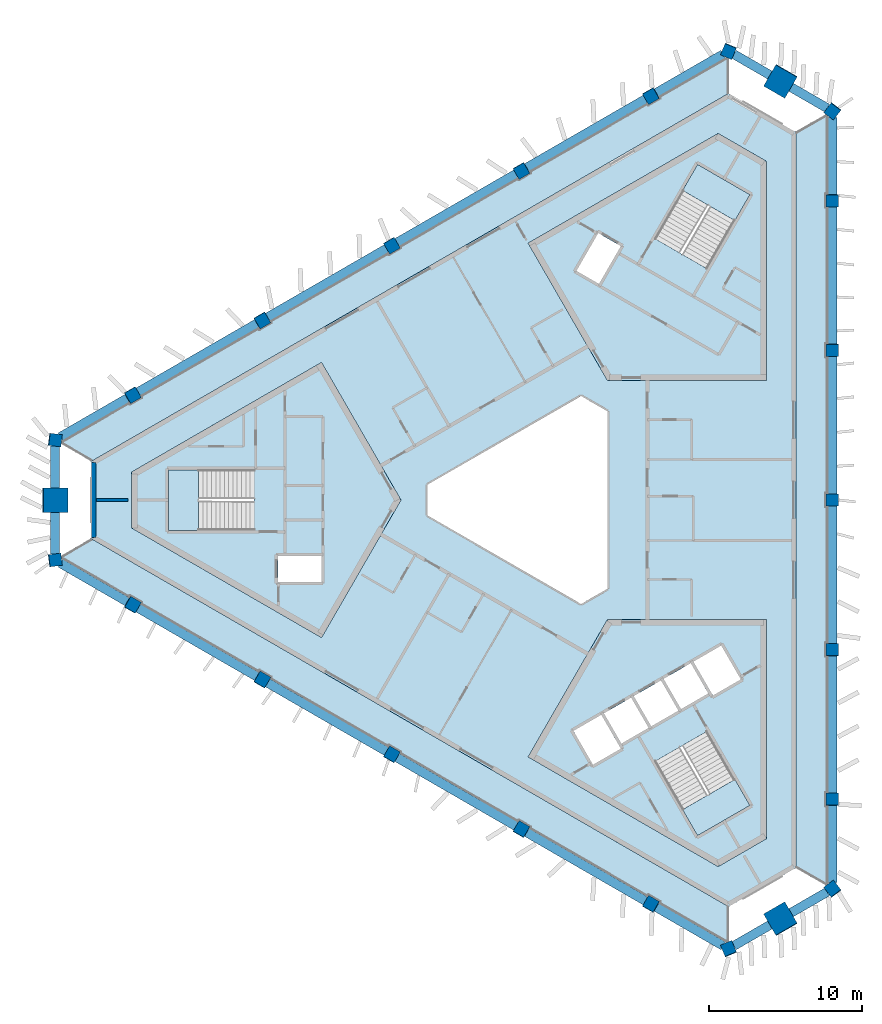
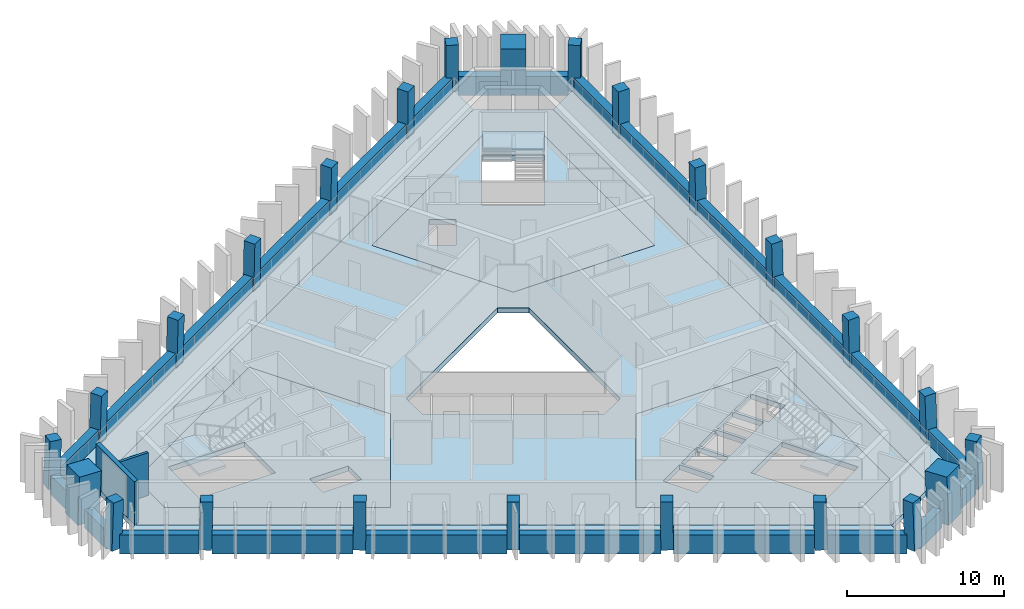
# One storey, part 1 of 9: 24 beams, 24 columns, 10 slabs, 2 walls, 3 elements without a shape of their own.
"""IFC4 building model written with IfcOpenShell, lengths in metres."""

from ifc_helpers import new_model, si_unit, direction, frame, frame_2d, origin, origin_2d, place, context, subcontext, project, spatial, polyline, rectangle, outline, extrude, material, layer, layer_set, material_profile, profile_set, type_object, element, aggregate, save


model = new_model("IFC4")

# Units and contexts
model_context = context("Model", 3, precision=1e-05, world=origin(), true_north=direction((0.0, 1.0)))
body_context = subcontext(model_context, "Body", "Model", "MODEL_VIEW")
ifc_project = project(units=[si_unit("LENGTHUNIT", "METRE"), si_unit("AREAUNIT", "SQUARE_METRE"), si_unit("VOLUMEUNIT", "CUBIC_METRE"), si_unit("PLANEANGLEUNIT", "RADIAN"), si_unit("MASSUNIT", "GRAM", prefix="KILO")], contexts=[model_context])

# Site, building, storey
site_placement = place(None, origin())
site = spatial("IfcSite", under=ifc_project, at=site_placement, CompositionType="ELEMENT")
building_placement = place(site_placement, origin())
building = spatial("IfcBuilding", under=site, at=building_placement, Name="Jabali Bay Hotel Tower and Convention Centre", CompositionType="ELEMENT")
storey_placement = place(building_placement, frame((0.0, 0.0, 270.10009765625)))
storey = spatial("IfcBuildingStorey", under=building, at=storey_placement, Name="L66", CompositionType="ELEMENT", Elevation=270.10009765625)

# Columns
ifc_material_1 = material(Name="Concrete C60", Category="concrete")
ifc_material_profile_1 = material_profile(ifc_material_1, rectangle(XDim=0.800048828125, YDim=0.800048828125, at=origin_2d()), Name="Frame column 800")
ifc_profile_set_1 = profile_set([ifc_material_profile_1], Name="Concrete C60")
column_type_1 = type_object("IfcColumnType", Name="Frame column 800", PredefinedType="COLUMN", material=ifc_profile_set_1)
column_1_placement = place(storey_placement, frame((82.337158203125, 106.409423828125, 0.0), z_axis=(-0.008376454378, -0.028163354484, 0.999568237028), x_axis=(0.86585218107, 0.499844611273, 0.021339285781)))
element("IfcColumn", 1, at=column_1_placement, inside=storey, type_object=column_type_1, Name="FC6 F1.1 L66", PredefinedType="COLUMN", context=body_context, shape_type="SweptSolid", body=[
    extrude(rectangle(XDim=0.800048828125, YDim=0.800048828125, at=origin_2d()), origin(), (0.0, 0.0, 1.0), 3.70166015625),
])
column_2_placement = place(storey_placement, frame((73.867919921875, 101.519775390625, 0.0), z_axis=(0.000857578916, -0.022824792675, 0.999739112668), x_axis=(0.866060219769, 0.499825848733, 0.01066848966)))
element("IfcColumn", 2, at=column_2_placement, inside=storey, type_object=column_type_1, Name="FC6 F1.2 L66", PredefinedType="COLUMN", context=body_context, shape_type="SweptSolid", body=[
    extrude(rectangle(XDim=0.800048828125, YDim=0.800048828125, at=origin_2d()), origin(), (0.0, 0.0, 1.0), 3.700927734375),
])
column_3_placement = place(storey_placement, frame((65.398681640625, 96.6298828125, 0.0), z_axis=(0.010093620709, -0.017482414954, 0.999796221231), x_axis=(-0.499902890187, 0.86584616669, 0.020187025825)))
element("IfcColumn", 3, at=column_3_placement, inside=storey, type_object=column_type_1, Name="FC6 F1.3 L66", PredefinedType="COLUMN", context=body_context, shape_type="SweptSolid", body=[
    extrude(rectangle(XDim=0.800048828125, YDim=0.800048828125, at=origin_2d()), origin(), (0.0, 0.0, 1.0), 3.70068359375),
])
column_4_placement = place(storey_placement, frame((56.929443359375, 91.740234375, 0.0), z_axis=(0.019328516974, -0.012138044789, 0.999739504221), x_axis=(-0.500205614953, 0.865671455024, 0.020181048691)))
element("IfcColumn", 4, at=column_4_placement, inside=storey, type_object=column_type_1, Name="FC6 F1.4 L66", PredefinedType="COLUMN", context=body_context, shape_type="SweptSolid", body=[
    extrude(rectangle(XDim=0.800048828125, YDim=0.800048828125, at=origin_2d()), origin(), (0.0, 0.0, 1.0), 3.700927734375),
])
for number, where, z_axis, x_axis, name in (
    (5, (48.460205078125, 86.8505859375, 0.0), (0.028559101991, -0.006859460986, 0.999568569678), (-0.498513358127, 0.866646856607, 0.020190534949), "FC6 F1.5 L66"),
    (6, (48.460205078125, 73.1494140625, 0.0), (0.028559101991, 0.006859460986, 0.999568569678), (-0.866411455062, 0.498874907895, 0.021331123037), "FC6 F2.1 L66"),
):
    element("IfcColumn", number, at=place(storey_placement, frame(where, z_axis=z_axis, x_axis=x_axis)), inside=storey, type_object=column_type_1, Name=name, PredefinedType="COLUMN", context=body_context, shape_type="SweptSolid", body=[
        extrude(rectangle(XDim=0.800048828125, YDim=0.800048828125, at=origin_2d()), origin(), (0.0, 0.0, 1.0), 3.70166015625),
    ])
column_5_placement = place(storey_placement, frame((56.929443359375, 68.259765625, 0.0), z_axis=(0.019328516974, 0.012138044789, 0.999739504221), x_axis=(-0.865690909737, 0.500465383244, 0.010660627254)))
element("IfcColumn", 7, at=column_5_placement, inside=storey, type_object=column_type_1, Name="FC6 F2.2 L66", PredefinedType="COLUMN", context=body_context, shape_type="SweptSolid", body=[
    extrude(rectangle(XDim=0.800048828125, YDim=0.800048828125, at=origin_2d()), origin(), (0.0, 0.0, 1.0), 3.700927734375),
])
column_6_placement = place(storey_placement, frame((65.398681640625, 63.3701171875, 0.0), z_axis=(0.010093620709, 0.017482414954, 0.999796221231), x_axis=(-0.866022643586, 0.500004780773, 1.3036e-08)))
element("IfcColumn", 8, at=column_6_placement, inside=storey, type_object=column_type_1, Name="FC6 F2.3 L66", PredefinedType="COLUMN", context=body_context, shape_type="SweptSolid", body=[
    extrude(rectangle(XDim=0.800048828125, YDim=0.800048828125, at=origin_2d()), origin(), (0.0, 0.0, 1.0), 3.70068359375),
])
column_7_placement = place(storey_placement, frame((73.867919921875, 58.480224609375, 0.0), z_axis=(0.000857578916, 0.022824792675, 0.999739112668), x_axis=(-0.499938956565, -0.865825126557, 0.020196285069)))
element("IfcColumn", 9, at=column_7_placement, inside=storey, type_object=column_type_1, Name="FC6 F2.4 L66", PredefinedType="COLUMN", context=body_context, shape_type="SweptSolid", body=[
    extrude(rectangle(XDim=0.800048828125, YDim=0.800048828125, at=origin_2d()), origin(), (0.0, 0.0, 1.0), 3.700927734375),
])
for number, where, z_axis, x_axis, name in (
    (10, (82.337158203125, 53.590576171875, 0.0), (-0.008376454378, 0.028163354484, 0.999568237028), (-0.500229782748, -0.865657085713, 0.020198376324), "FC6 F2.5 L66"),
    (11, (94.20263671875, 60.441162109375, 0.0), (-0.020182659751, 0.021303918626, 0.999569308901), (0.000228267203, -0.99977282903, 0.021312865295), "FC6 F0.1 L66"),
):
    element("IfcColumn", number, at=place(storey_placement, frame(where, z_axis=z_axis, x_axis=x_axis)), inside=storey, type_object=column_type_1, Name=name, PredefinedType="COLUMN", context=body_context, shape_type="SweptSolid", body=[
        extrude(rectangle(XDim=0.800048828125, YDim=0.800048828125, at=origin_2d()), origin(), (0.0, 0.0, 1.0), 3.70166015625),
    ])
column_8_placement = place(storey_placement, frame((94.20263671875, 70.220458984375, 0.0), z_axis=(-0.020186088539, 0.010686752756, 0.999739123544), x_axis=(-0.001012906877, -0.999942577175, 0.010668475618)))
element("IfcColumn", 12, at=column_8_placement, inside=storey, type_object=column_type_1, Name="FC6 F0.2 L66", PredefinedType="COLUMN", context=body_context, shape_type="SweptSolid", body=[
    extrude(rectangle(XDim=0.800048828125, YDim=0.800048828125, at=origin_2d()), origin(), (0.0, 0.0, 1.0), 3.700927734375),
])
column_9_placement = place(storey_placement, frame((94.20263671875, 80.0, 0.0), z_axis=(-0.020187241331, 0.0, 0.99979621688), x_axis=(0.0, -1.0, 0.0)))
element("IfcColumn", 13, at=column_9_placement, inside=storey, type_object=column_type_1, Name="FC6 F0.3 L66", PredefinedType="COLUMN", context=body_context, shape_type="SweptSolid", body=[
    extrude(rectangle(XDim=0.800048828125, YDim=0.800048828125, at=origin_2d()), origin(), (0.0, 0.0, 1.0), 3.70068359375),
])
column_10_placement = place(storey_placement, frame((94.20263671875, 89.779541015625, 0.0), z_axis=(-0.020186088539, -0.010686752756, 0.999739123544), x_axis=(0.999795727061, 0.00079728784, 0.020195754082)))
element("IfcColumn", 14, at=column_10_placement, inside=storey, type_object=column_type_1, Name="FC6 F0.4 L66", PredefinedType="COLUMN", context=body_context, shape_type="SweptSolid", body=[
    extrude(rectangle(XDim=0.800048828125, YDim=0.800048828125, at=origin_2d()), origin(), (0.0, 0.0, 1.0), 3.700927734375),
])
column_11_placement = place(storey_placement, frame((94.20263671875, 99.558837890625, 0.0), z_axis=(-0.020182659751, -0.021303918626, 0.999569308901), x_axis=(0.999796283319, -0.000658319199, 0.020173211851)))
element("IfcColumn", 15, at=column_11_placement, inside=storey, type_object=column_type_1, Name="FC6 F0.5 L66", PredefinedType="COLUMN", context=body_context, shape_type="SweptSolid", body=[
    extrude(rectangle(XDim=0.800048828125, YDim=0.800048828125, at=origin_2d()), origin(), (0.0, 0.0, 1.0), 3.70166015625),
])
for number, where, z_axis, x_axis, name in (
    (16, (94.20263671875, 54.583251953125, 0.0), (-0.02017878048, 0.028949296179, 0.999377183584), (-0.797351291401, -0.603513882654, 0.00138258656), "FC6 V0 L66"),
    (17, (94.20263671875, 105.416748046875, 0.0), (-0.02017878048, -0.028949296179, 0.999377183584), (0.603178029209, 0.796826789017, 0.035260932848), "FC6 V1 L66"),
    (18, (87.410400390625, 109.33837890625, 0.0), (-0.015035141917, -0.031982648376, 0.99937533225), (0.920949876044, -0.389678596935, 0.001384523406), "FC6 V2 L66"),
    (19, (43.386962890625, 83.921630859375, 0.0), (0.03521388716, -0.002967462401, 0.999375393092), (-0.991790756709, 0.122899098817, 0.035311562094), "FC6 V3 L66"),
    (20, (43.386962890625, 76.078369140625, 0.0), (0.03521388716, 0.002967462401, 0.999375393092), (-0.122927120924, 0.992414734714, 0.001384653217), "FC6 V4 L66"),
    (21, (87.410400390625, 50.66162109375, 0.0), (-0.015035141917, 0.031982648376, 0.99937533225), (0.389390896557, -0.920395404863, 0.035313289065), "FC6 V5 L66"),
):
    element("IfcColumn", number, at=place(storey_placement, frame(where, z_axis=z_axis, x_axis=x_axis)), inside=storey, type_object=column_type_1, Name=name, PredefinedType="COLUMN", context=body_context, shape_type="SweptSolid", body=[
        extrude(rectangle(XDim=0.800048828125, YDim=0.800048828125, at=origin_2d()), origin(), (0.0, 0.0, 1.0), 3.7021484375),
    ])
ifc_material_2 = material(Name="Concrete C70", Category="concrete")
ifc_material_profile_2 = material_profile(ifc_material_2, rectangle(XDim=1.60009765625, YDim=1.60009765625, at=origin_2d()), Name="Mega column 1600")
ifc_profile_set_2 = profile_set([ifc_material_profile_2], Name="Concrete C70")
column_type_2 = type_object("IfcColumnType", Name="Mega column 1600", PredefinedType="COLUMN", material=ifc_profile_set_2)
for number, where, z_axis, x_axis, name in (
    (22, (90.806396484375, 107.377685546875, 0.0), (-0.017607001884, -0.030531992032, 0.999378702468), (0.499259105725, 0.865735604153, 0.035244986206), "MC6 M1 L66"),
    (23, (43.386962890625, 80.0, 0.0), (0.035214042205, 0.0, 0.999379793288), (0.0, 1.0, 0.0), "MC6 M0 L66"),
    (24, (90.806396484375, 52.622314453125, 0.0), (-0.017607001884, 0.030531992032, 0.999378702468), (-0.866273824397, -0.499569475814, 3.66624e-07), "MC6 M2 L66"),
):
    element("IfcColumn", number, at=place(storey_placement, frame(where, z_axis=z_axis, x_axis=x_axis)), inside=storey, type_object=column_type_2, Name=name, PredefinedType="COLUMN", context=body_context, shape_type="SweptSolid", body=[
        extrude(rectangle(XDim=1.60009765625, YDim=1.60009765625, at=origin_2d()), origin(), (0.0, 0.0, 1.0), 3.7021484375),
    ])

# Beams
ifc_material_profile_3 = material_profile(ifc_material_1, rectangle(XDim=0.60009765625, YDim=1.449951171875, at=origin_2d()), Name="Spandrel 600x1450")
ifc_profile_set_3 = profile_set([ifc_material_profile_3], Name="Concrete C60")
beam_type = type_object("IfcBeamType", Name="Spandrel 600x1450", PredefinedType="SPANDREL", material=ifc_profile_set_3)
beam_1_placement = place(storey_placement, frame((90.10693359375, 107.76611328125, 0.375), z_axis=(-0.866003257038, 0.500038357328, 0.0), x_axis=(-0.500038357328, -0.866003257038, 0.0)))
element("IfcBeam", 25, at=beam_1_placement, inside=storey, type_object=beam_type, Name="Spandrel M1-V2 L66", PredefinedType="SPANDREL", context=body_context, shape_type="SweptSolid", body=[
    extrude(rectangle(XDim=0.60009765625, YDim=1.449951171875, at=origin_2d()), origin(), (0.0, 0.0, 1.0), 2.720458984375),
])
beam_2_placement = place(storey_placement, frame((87.058349609375, 109.12646484375, 0.375), z_axis=(-0.866026345406, -0.49999836906, 0.0), x_axis=(0.49999836906, -0.866026345406, 0.0)))
element("IfcBeam", 26, at=beam_2_placement, inside=storey, type_object=beam_type, Name="Spandrel V2-F1.1 L66", PredefinedType="SPANDREL", context=body_context, shape_type="SweptSolid", body=[
    extrude(rectangle(XDim=0.60009765625, YDim=1.449951171875, at=origin_2d()), origin(), (0.0, 0.0, 1.0), 5.05517578125),
])
for number, where, z_axis, x_axis, name in (
    (27, (81.987548828125, 106.198974609375, 0.375), (-0.866021609613, -0.500006571641, 0.0), (0.500006571641, -0.866021609613, 0.0), "Spandrel F1.1-F1.2 L66"),
    (28, (73.52197265625, 101.31103515625, 0.375), (-0.866040187658, -0.499974392705, 0.0), (0.499974392705, -0.866040187658, 0.0), "Spandrel F1.2-F1.3 L66"),
    (29, (65.05615234375, 96.42333984375, 0.375), (-0.866040187658, -0.499974392705, 0.0), (0.499974392705, -0.866040187658, 0.0), "Spandrel F1.3-F1.4 L66"),
    (30, (56.59033203125, 91.53564453125, 0.375), (-0.866021609613, -0.500006571641, 0.0), (0.500006571641, -0.866021609613, 0.0), "Spandrel F1.4-F1.5 L66"),
):
    element("IfcBeam", number, at=place(storey_placement, frame(where, z_axis=z_axis, x_axis=x_axis)), inside=storey, type_object=beam_type, Name=name, PredefinedType="SPANDREL", context=body_context, shape_type="SweptSolid", body=[
        extrude(rectangle(XDim=0.60009765625, YDim=1.449951171875, at=origin_2d()), origin(), (0.0, 0.0, 1.0), 8.9755859375),
    ])
beam_3_placement = place(storey_placement, frame((48.12451171875, 86.64794921875, 0.375), z_axis=(-0.866026345406, -0.49999836906, 0.0), x_axis=(0.49999836906, -0.866026345406, 0.0)))
element("IfcBeam", 31, at=beam_3_placement, inside=storey, type_object=beam_type, Name="Spandrel F1.5-V3 L66", PredefinedType="SPANDREL", context=body_context, shape_type="SweptSolid", body=[
    extrude(rectangle(XDim=0.60009765625, YDim=1.449951171875, at=origin_2d()), origin(), (0.0, 0.0, 1.0), 5.05517578125),
])
for number, where, z_axis, x_axis, name in (
    (32, (43.400390625, 83.5205078125, 0.375), (0.0, -1.0, 0.0), (1.0, 0.0, 0.0), "Spandrel V3-M0 L66"),
    (33, (43.400390625, 79.199951171875, 0.375), (0.0, -1.0, 0.0), (1.0, 0.0, 0.0), "Spandrel M0-V4 L66"),
):
    element("IfcBeam", number, at=place(storey_placement, frame(where, z_axis=z_axis, x_axis=x_axis)), inside=storey, type_object=beam_type, Name=name, PredefinedType="SPANDREL", context=body_context, shape_type="SweptSolid", body=[
        extrude(rectangle(XDim=0.60009765625, YDim=1.449951171875, at=origin_2d()), origin(), (0.0, 0.0, 1.0), 2.720458984375),
    ])
beam_4_placement = place(storey_placement, frame((43.74658203125, 75.879638671875, 0.375), z_axis=(0.866026345406, -0.49999836906, 0.0), x_axis=(0.49999836906, 0.866026345406, 0.0)))
element("IfcBeam", 34, at=beam_4_placement, inside=storey, type_object=beam_type, Name="Spandrel V4-F2.1 L66", PredefinedType="SPANDREL", context=body_context, shape_type="SweptSolid", body=[
    extrude(rectangle(XDim=0.60009765625, YDim=1.449951171875, at=origin_2d()), origin(), (0.0, 0.0, 1.0), 5.05517578125),
])
for number, where, z_axis, x_axis, name in (
    (35, (48.8173828125, 72.9521484375, 0.375), (0.866021609613, -0.500006571641, 0.0), (0.500006571641, 0.866021609613, 0.0), "Spandrel F2.1-F2.2 L66"),
    (36, (57.282958984375, 68.064208984375, 0.375), (0.866040187658, -0.499974392705, 0.0), (0.499974392705, 0.866040187658, 0.0), "Spandrel F2.2-F2.3 L66"),
    (37, (65.748779296875, 63.176513671875, 0.375), (0.866040187658, -0.499974392705, 0.0), (0.499974392705, 0.866040187658, 0.0), "Spandrel F2.3-F2.4 L66"),
    (38, (74.214599609375, 58.288818359375, 0.375), (0.866021609613, -0.500006571641, 0.0), (0.500006571641, 0.866021609613, 0.0), "Spandrel F2.4-F2.5 L66"),
):
    element("IfcBeam", number, at=place(storey_placement, frame(where, z_axis=z_axis, x_axis=x_axis)), inside=storey, type_object=beam_type, Name=name, PredefinedType="SPANDREL", context=body_context, shape_type="SweptSolid", body=[
        extrude(rectangle(XDim=0.60009765625, YDim=1.449951171875, at=origin_2d()), origin(), (0.0, 0.0, 1.0), 8.9755859375),
    ])
beam_5_placement = place(storey_placement, frame((82.680419921875, 53.401123046875, 0.375), z_axis=(0.866026345406, -0.49999836906, 0.0), x_axis=(0.49999836906, 0.866026345406, 0.0)))
element("IfcBeam", 39, at=beam_5_placement, inside=storey, type_object=beam_type, Name="Spandrel F2.5-V5 L66", PredefinedType="SPANDREL", context=body_context, shape_type="SweptSolid", body=[
    extrude(rectangle(XDim=0.60009765625, YDim=1.449951171875, at=origin_2d()), origin(), (0.0, 0.0, 1.0), 5.05517578125),
])
for number, where, z_axis, x_axis, name in (
    (40, (87.7509765625, 50.87353515625, 0.375), (0.866003257038, 0.500038357328, 0.0), (-0.500038357328, 0.866003257038, 0.0), "Spandrel V5-M2 L66"),
    (41, (91.49267578125, 53.033935546875, 0.375), (0.866042117264, 0.499971050288, 0.0), (-0.499971050288, 0.866042117264, 0.0), "Spandrel M2-V0 L66"),
):
    element("IfcBeam", number, at=place(storey_placement, frame(where, z_axis=z_axis, x_axis=x_axis)), inside=storey, type_object=beam_type, Name=name, PredefinedType="SPANDREL", context=body_context, shape_type="SweptSolid", body=[
        extrude(rectangle(XDim=0.60009765625, YDim=1.449951171875, at=origin_2d()), origin(), (0.0, 0.0, 1.0), 2.720458984375),
    ])
beam_6_placement = place(storey_placement, frame((94.195068359375, 54.994140625, 0.375), z_axis=(0.0, 1.0, 0.0), x_axis=(-1.0, 0.0, 0.0)))
element("IfcBeam", 42, at=beam_6_placement, inside=storey, type_object=beam_type, Name="Spandrel V0-F0.1 L66", PredefinedType="SPANDREL", context=body_context, shape_type="SweptSolid", body=[
    extrude(rectangle(XDim=0.60009765625, YDim=1.449951171875, at=origin_2d()), origin(), (0.0, 0.0, 1.0), 5.054931640625),
])
beam_7_placement = place(storey_placement, frame((94.195068359375, 60.84912109375, 0.375), z_axis=(0.0, 1.0, 0.0), x_axis=(-1.0, 0.0, 0.0)))
element("IfcBeam", 43, at=beam_7_placement, inside=storey, type_object=beam_type, Name="Spandrel F0.1-F0.2 L66", PredefinedType="SPANDREL", context=body_context, shape_type="SweptSolid", body=[
    extrude(rectangle(XDim=0.60009765625, YDim=1.449951171875, at=origin_2d()), origin(), (0.0, 0.0, 1.0), 8.975341796875),
])
for number, where, z_axis, x_axis, name in (
    (44, (94.195068359375, 70.62451171875, 0.375), (0.0, 1.0, 0.0), (-1.0, 0.0, 0.0), "Spandrel F0.2-F0.3 L66"),
    (45, (94.195068359375, 80.39990234375, 0.375), (0.0, 1.0, 0.0), (-1.0, 0.0, 0.0), "Spandrel F0.3-F0.4 L66"),
):
    element("IfcBeam", number, at=place(storey_placement, frame(where, z_axis=z_axis, x_axis=x_axis)), inside=storey, type_object=beam_type, Name=name, PredefinedType="SPANDREL", context=body_context, shape_type="SweptSolid", body=[
        extrude(rectangle(XDim=0.60009765625, YDim=1.449951171875, at=origin_2d()), origin(), (0.0, 0.0, 1.0), 8.9755859375),
    ])
beam_8_placement = place(storey_placement, frame((94.195068359375, 90.175537109375, 0.375), z_axis=(0.0, 1.0, 0.0), x_axis=(-1.0, 0.0, 0.0)))
element("IfcBeam", 46, at=beam_8_placement, inside=storey, type_object=beam_type, Name="Spandrel F0.4-F0.5 L66", PredefinedType="SPANDREL", context=body_context, shape_type="SweptSolid", body=[
    extrude(rectangle(XDim=0.60009765625, YDim=1.449951171875, at=origin_2d()), origin(), (0.0, 0.0, 1.0), 8.975341796875),
])
beam_9_placement = place(storey_placement, frame((94.195068359375, 99.950927734375, 0.375), z_axis=(0.0, 1.0, 0.0), x_axis=(-1.0, 0.0, 0.0)))
element("IfcBeam", 47, at=beam_9_placement, inside=storey, type_object=beam_type, Name="Spandrel F0.5-V1 L66", PredefinedType="SPANDREL", context=body_context, shape_type="SweptSolid", body=[
    extrude(rectangle(XDim=0.60009765625, YDim=1.449951171875, at=origin_2d()), origin(), (0.0, 0.0, 1.0), 5.054931640625),
])
beam_10_placement = place(storey_placement, frame((93.8486328125, 105.60595703125, 0.375), z_axis=(-0.866042117264, 0.499971050288, 0.0), x_axis=(-0.499971050288, -0.866042117264, 0.0)))
element("IfcBeam", 48, at=beam_10_placement, inside=storey, type_object=beam_type, Name="Spandrel V1-M1 L66", PredefinedType="SPANDREL", context=body_context, shape_type="SweptSolid", body=[
    extrude(rectangle(XDim=0.60009765625, YDim=1.449951171875, at=origin_2d()), origin(), (0.0, 0.0, 1.0), 2.720458984375),
])

# Slabs
ifc_material_3 = material(Name="Concrete C40", Category="concrete")
ifc_layer_1 = layer(ifc_material_3, 0.39990234375)
ifc_layer_set_1 = layer_set([ifc_layer_1], Name="Concrete C40")
slab_type_1 = type_object("IfcSlabType", Name="Core floor slab 400", PredefinedType="FLOOR", material=ifc_layer_set_1)
slab_1_placement = place(storey_placement, frame((0.0, 0.0, -0.400146484375)))
element("IfcSlab", 49, at=slab_1_placement, inside=storey, type_object=slab_type_1, Name="Core floor slab 1 L66", PredefinedType="FLOOR", context=body_context, shape_type="SweptSolid", body=[
    extrude(outline(polyline([(66.0, 80.0), (60.81005859375, 88.9892578125), (48.39697265625, 81.82275390625), (48.39697265625, 78.17724609375), (60.81005859375, 71.0107421875), (66.0, 80.0)]), holes=[polyline([(60.800048828125, 76.35009765625), (57.949951171875, 76.35009765625), (57.949951171875, 74.64990234375), (60.800048828125, 74.64990234375), (60.800048828125, 76.35009765625)]), polyline([(50.820068359375, 81.97509765625), (50.820068359375, 78.02490234375), (56.409912109375, 78.02490234375), (56.409912109375, 81.97509765625), (50.820068359375, 81.97509765625)])]), origin(), (0.0, 0.0, 1.0), 0.400146484375),
])
slab_2_placement = place(storey_placement, frame((0.0, 0.0, -0.400146484375)))
element("IfcSlab", 50, at=slab_2_placement, inside=storey, type_object=slab_type_1, Name="Core floor slab 2 L66", PredefinedType="FLOOR", context=body_context, shape_type="SweptSolid", body=[
    extrude(outline(polyline([(79.5, 87.794189453125), (89.8798828125, 87.794189453125), (89.8798828125, 102.127685546875), (86.72314453125, 103.9501953125), (74.31005859375, 96.78369140625), (79.5, 87.794189453125)]), holes=[polyline([(78.93896484375, 94.12255859375), (80.364013671875, 96.5908203125), (78.891845703125, 97.440673828125), (77.466796875, 94.97265625), (78.93896484375, 94.12255859375)]), polyline([(88.80029296875, 99.952880859375), (85.379638671875, 101.927978515625), (82.584716796875, 97.0869140625), (86.00537109375, 95.11181640625), (88.80029296875, 99.952880859375)])]), origin(), (0.0, 0.0, 1.0), 0.400146484375),
])
slab_3_placement = place(storey_placement, frame((0.0, 0.0, -0.400146484375)))
element("IfcSlab", 51, at=slab_3_placement, inside=storey, type_object=slab_type_1, Name="Core floor slab 3 L66", PredefinedType="FLOOR", context=body_context, shape_type="SweptSolid", body=[
    extrude(outline(polyline([(79.5, 72.205810546875), (74.31005859375, 63.21630859375), (86.72314453125, 56.0498046875), (89.8798828125, 57.872314453125), (89.8798828125, 72.205810546875), (79.5, 72.205810546875)]), holes=[polyline([(82.584716796875, 62.9130859375), (85.379638671875, 58.072021484375), (88.80029296875, 60.047119140625), (86.00537109375, 64.88818359375), (82.584716796875, 62.9130859375)]), polyline([(80.365478515625, 63.756591796875), (79.090576171875, 65.96484375), (77.27197265625, 64.9150390625), (78.546875, 62.70654296875), (80.365478515625, 63.756591796875)]), polyline([(82.17919921875, 65.115478515625), (81.0390625, 67.08984375), (79.263671875, 66.06494140625), (80.40380859375, 64.09033203125), (82.17919921875, 65.115478515625)]), polyline([(82.98779296875, 68.21484375), (81.21240234375, 67.18994140625), (82.352294921875, 65.21533203125), (84.127685546875, 66.240478515625), (82.98779296875, 68.21484375)]), polyline([(86.076171875, 67.365478515625), (84.936279296875, 69.33984375), (83.160888671875, 68.31494140625), (84.30078125, 66.34033203125), (86.076171875, 67.365478515625)]), polyline([(88.203125, 68.281494140625), (86.927978515625, 70.489990234375), (85.109375, 69.43994140625), (86.384521484375, 67.231689453125), (88.203125, 68.281494140625)])]), origin(), (0.0, 0.0, 1.0), 0.400146484375),
])
ifc_layer_2 = layer(ifc_material_3, 0.199951171875)
ifc_layer_set_2 = layer_set([ifc_layer_2], Name="Concrete C40")
slab_type_2 = type_object("IfcSlabType", Name="Loggia slab 200", PredefinedType="FLOOR", material=ifc_layer_set_2)
slab_4_placement = place(storey_placement, frame((0.0, 0.0, -0.2001953125)))
element("IfcSlab", 52, at=slab_4_placement, inside=storey, type_object=slab_type_2, Name="Loggia slab east face L66", PredefinedType="FLOOR", context=body_context, shape_type="SweptSolid", body=[
    extrude(outline(polyline([(91.802734375, 104.03125), (93.826416015625, 105.19970703125), (93.902587890625, 105.14208984375), (93.902587890625, 99.958984375), (93.802734375, 99.958984375), (93.802734375, 99.158935546875), (93.902587890625, 99.158935546875), (93.902587890625, 90.179443359375), (93.802734375, 90.179443359375), (93.802734375, 89.37939453125), (93.902587890625, 89.37939453125), (93.902587890625, 80.39990234375), (93.802734375, 80.39990234375), (93.802734375, 79.60009765625), (93.902587890625, 79.60009765625), (93.902587890625, 70.62060546875), (93.802734375, 70.62060546875), (93.802734375, 69.820556640625), (93.902587890625, 69.820556640625), (93.902587890625, 60.841064453125), (93.802734375, 60.841064453125), (93.802734375, 60.041015625), (93.902587890625, 60.041015625), (93.902587890625, 54.85791015625), (93.826416015625, 54.80029296875), (91.802734375, 55.96875), (91.802734375, 104.03125)])), origin(), (0.0, 0.0, 1.0), 0.2001953125),
])
slab_5_placement = place(storey_placement, frame((0.0, 0.0, -0.2001953125)))
element("IfcSlab", 53, at=slab_5_placement, inside=storey, type_object=slab_type_2, Name="Loggia slab north-west face L66", PredefinedType="FLOOR", context=body_context, shape_type="SweptSolid", body=[
    extrude(outline(polyline([(45.787109375, 82.535888671875), (43.76318359375, 83.704345703125), (43.77490234375, 83.799072265625), (48.263671875, 86.390625), (48.313720703125, 86.30419921875), (49.006591796875, 86.7041015625), (48.95654296875, 86.790771484375), (56.73291015625, 91.280517578125), (56.782958984375, 91.19384765625), (57.475830078125, 91.59375), (57.42578125, 91.680419921875), (65.202392578125, 96.170166015625), (65.252197265625, 96.08349609375), (65.945068359375, 96.483642578125), (65.89501953125, 96.570068359375), (73.671630859375, 101.059814453125), (73.721435546875, 100.973388671875), (74.414306640625, 101.373291015625), (74.3642578125, 101.4599609375), (82.140869140625, 105.94970703125), (82.190673828125, 105.863037109375), (82.883544921875, 106.262939453125), (82.83349609375, 106.349609375), (87.322509765625, 108.941162109375), (87.410400390625, 108.904052734375), (87.410400390625, 106.567138671875), (45.787109375, 82.535888671875)])), origin(), (0.0, 0.0, 1.0), 0.2001953125),
])
slab_6_placement = place(storey_placement, frame((0.0, 0.0, -0.2001953125)))
element("IfcSlab", 54, at=slab_6_placement, inside=storey, type_object=slab_type_2, Name="Loggia slab south-west face L66", PredefinedType="FLOOR", context=body_context, shape_type="SweptSolid", body=[
    extrude(outline(polyline([(87.410400390625, 53.432861328125), (87.410400390625, 51.095947265625), (87.322509765625, 51.058837890625), (82.83349609375, 53.650390625), (82.883544921875, 53.737060546875), (82.190673828125, 54.136962890625), (82.140869140625, 54.05029296875), (74.3642578125, 58.5400390625), (74.414306640625, 58.626708984375), (73.721435546875, 59.026611328125), (73.671630859375, 58.940185546875), (65.89501953125, 63.429931640625), (65.945068359375, 63.516357421875), (65.252197265625, 63.91650390625), (65.202392578125, 63.829833984375), (57.42578125, 68.319580078125), (57.475830078125, 68.40625), (56.782958984375, 68.80615234375), (56.73291015625, 68.719482421875), (48.95654296875, 73.209228515625), (49.006591796875, 73.2958984375), (48.313720703125, 73.69580078125), (48.263671875, 73.609375), (43.77490234375, 76.200927734375), (43.76318359375, 76.295654296875), (45.787109375, 77.464111328125), (87.410400390625, 53.432861328125)])), origin(), (0.0, 0.0, 1.0), 0.2001953125),
])
ifc_layer_3 = layer(ifc_material_3, 0.39990234375)
ifc_layer_set_3 = layer_set([ifc_layer_3], Name="Concrete C40")
slab_type_3 = type_object("IfcSlabType", Name="Post-tensioned flat slab 400", PredefinedType="FLOOR", material=ifc_layer_set_3)
slab_7_placement = place(storey_placement, frame((0.0, 0.0, -0.400146484375)))
element("IfcSlab", 55, at=slab_7_placement, inside=storey, type_object=slab_type_3, Name="Floor slab L66", PredefinedType="FLOOR", context=body_context, shape_type="SweptSolid", body=[
    extrude(outline(polyline([(87.410400390625, 106.567138671875), (91.802734375, 104.03125), (91.802734375, 55.96875), (87.410400390625, 53.432861328125), (45.787109375, 77.464111328125), (45.787109375, 82.535888671875), (87.410400390625, 106.567138671875)]), holes=[polyline([(67.73193359375, 79.0), (77.76806640625, 73.205810546875), (79.5, 74.205810546875), (79.5, 85.794189453125), (77.76806640625, 86.794189453125), (67.73193359375, 81.0), (67.73193359375, 79.0)]), polyline([(48.39697265625, 78.17724609375), (60.81005859375, 71.0107421875), (66.0, 80.0), (60.81005859375, 88.9892578125), (48.39697265625, 81.82275390625), (48.39697265625, 78.17724609375)]), polyline([(89.8798828125, 102.127685546875), (86.72314453125, 103.9501953125), (74.31005859375, 96.78369140625), (79.5, 87.794189453125), (89.8798828125, 87.794189453125), (89.8798828125, 102.127685546875)]), polyline([(74.31005859375, 63.21630859375), (86.72314453125, 56.0498046875), (89.8798828125, 57.872314453125), (89.8798828125, 72.205810546875), (79.5, 72.205810546875), (74.31005859375, 63.21630859375)])]), origin(), (0.0, 0.0, 1.0), 0.400146484375),
])

# Stair, slab
stair_type = type_object("IfcStairType", Name="Exit stair 1900", PredefinedType="HALF_TURN_STAIR", material=ifc_material_3)
stair_1_placement = place(storey_placement, origin())
stair_1 = element("IfcStair", 56, at=stair_1_placement, inside=storey, type_object=stair_type, Name="L66 Exit Stair 1", PredefinedType="HALF_TURN_STAIR")
ifc_layer_4 = layer(ifc_material_3, 0.199951171875)
ifc_layer_set_4 = layer_set([ifc_layer_4], Name="Concrete C40")
slab_type_4 = type_object("IfcSlabType", Name="Stair landing 200", PredefinedType="LANDING", material=ifc_layer_set_4)
slab_8_placement = place(storey_placement, frame((0.0, 0.0, 1.64990234375)))
slab_8 = element("IfcSlab", 57, at=slab_8_placement, type_object=slab_type_4, Name="ST1 landing 1", PredefinedType="LANDING", context=body_context, shape_type="SweptSolid", body=[
    extrude(outline(polyline([(52.782958984375, 81.97509765625), (50.820068359375, 81.97509765625), (50.820068359375, 78.02490234375), (52.782958984375, 78.02490234375), (52.782958984375, 81.97509765625)])), origin(), (0.0, 0.0, 1.0), 0.199951171875),
])
aggregate(stair_1, [slab_8])

stair_2_placement = place(storey_placement, origin())
stair_2 = element("IfcStair", 58, at=stair_2_placement, inside=storey, type_object=stair_type, Name="L66 Exit Stair 2", PredefinedType="HALF_TURN_STAIR")
slab_9_placement = place(storey_placement, frame((0.0, 0.0, 1.64990234375)))
slab_9 = element("IfcSlab", 59, at=slab_9_placement, type_object=slab_type_4, Name="ST2 landing 1", PredefinedType="LANDING", context=body_context, shape_type="SweptSolid", body=[
    extrude(outline(polyline([(87.81884765625, 98.2529296875), (88.80029296875, 99.952880859375), (85.379638671875, 101.927978515625), (84.398193359375, 100.22802734375), (87.81884765625, 98.2529296875)])), origin(), (0.0, 0.0, 1.0), 0.199951171875),
])
aggregate(stair_2, [slab_9])

stair_3_placement = place(storey_placement, origin())
stair_3 = element("IfcStair", 60, at=stair_3_placement, inside=storey, type_object=stair_type, Name="L66 Exit Stair 3", PredefinedType="HALF_TURN_STAIR")
slab_10_placement = place(storey_placement, frame((0.0, 0.0, 1.64990234375)))
slab_10 = element("IfcSlab", 61, at=slab_10_placement, type_object=slab_type_4, Name="ST3 landing 1", PredefinedType="LANDING", context=body_context, shape_type="SweptSolid", body=[
    extrude(outline(polyline([(84.398193359375, 59.77197265625), (85.379638671875, 58.072021484375), (88.80029296875, 60.047119140625), (87.81884765625, 61.7470703125), (84.398193359375, 59.77197265625)])), origin(), (0.0, 0.0, 1.0), 0.199951171875),
])
aggregate(stair_3, [slab_10])

# Walls
ifc_layer_5 = layer(ifc_material_3, 0.300048828125)
ifc_layer_set_5 = layer_set([ifc_layer_5], Name="Concrete C40")
wall_type_1 = type_object("IfcWallType", Name="External wall 300", PredefinedType="SOLIDWALL", material=ifc_layer_set_5)
wall_1_placement = place(storey_placement, frame((45.93701171875, 77.55078125, 0.0), z_axis=(0.0, 0.0, 1.0), x_axis=(0.0, 1.0, 0.0)))
element("IfcWall", 62, at=wall_1_placement, inside=storey, type_object=wall_type_1, Name="External wall west chamfer L66", PredefinedType="SOLIDWALL", context=body_context, shape_type="SweptSolid", body=[
    extrude(rectangle(XDim=4.8984375, YDim=0.300048828125, at=frame_2d((2.44921875, 0.0))), origin(), (0.0, 0.0, 1.0), 3.2998046875),
])
ifc_material_4 = material(Name="Plasterboard on steel stud", Category="steel")
ifc_layer_6 = layer(ifc_material_4, 0.199951171875)
ifc_layer_set_6 = layer_set([ifc_layer_6], Name="Plasterboard on steel stud")
wall_type_2 = type_object("IfcWallType", Name="Partition 200 party", PredefinedType="PARTITIONING", material=ifc_layer_set_6)
wall_2_placement = place(storey_placement, frame((46.107177734375, 80.0009765625, 0.0), z_axis=(0.0, 0.0, 1.0), x_axis=(1.0, 0.0, 0.0)))
element("IfcWall", 63, at=wall_2_placement, inside=storey, type_object=wall_type_2, Name="Partition P01 L66 020", PredefinedType="PARTITIONING", context=body_context, shape_type="SweptSolid", body=[
    extrude(rectangle(XDim=2.06982421875, YDim=0.199951171875, at=frame_2d((1.034912109375, 0.0))), origin(), (0.0, 0.0, 1.0), 3.2998046875),
])

save(model, "model.ifc")
